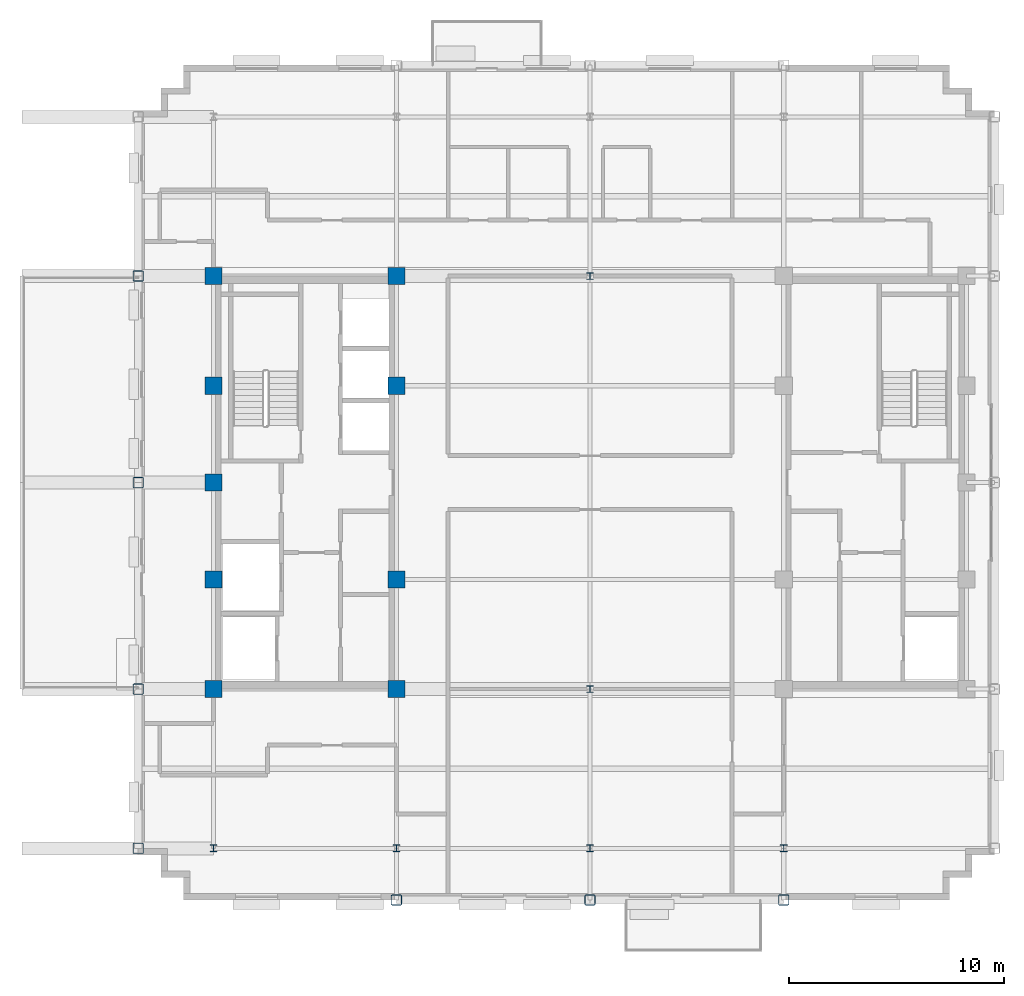
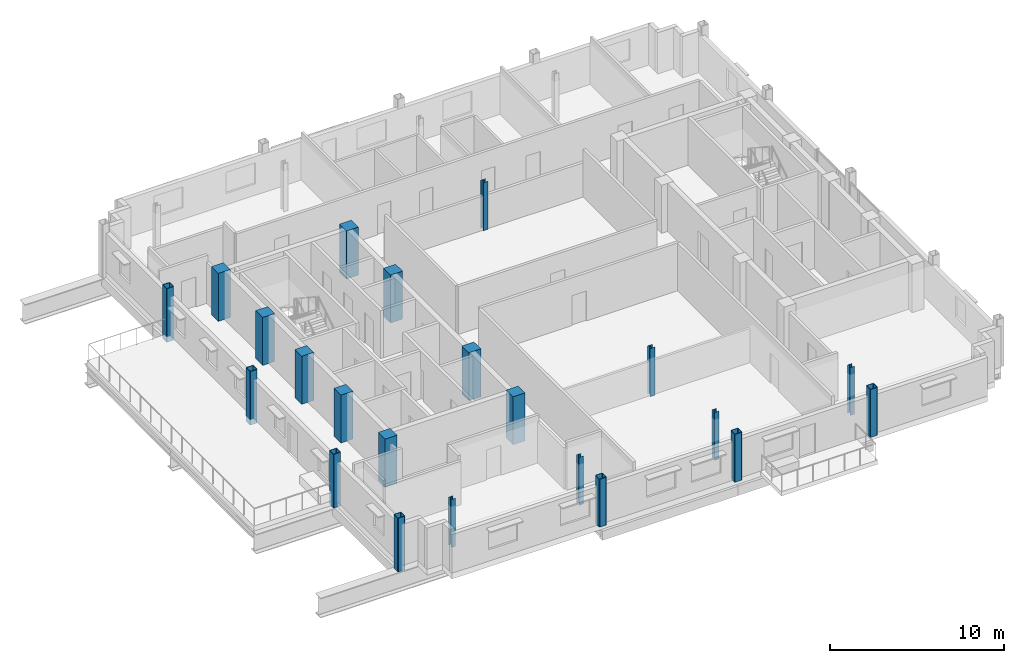
# One storey, part 1 of 14: 22 columns.
"""IFC4 building model written with IfcOpenShell, lengths in metres."""

from ifc_helpers import new_model, si_unit, direction, frame, origin, origin_2d, place, context, subcontext, project, spatial, rectangle, hollow_rectangle, i_section, extrude, material, material_profile, profile_set, type_object, element, save


model = new_model("IFC4")

# Units and contexts
model_context = context("Model", 3, precision=1e-05, world=origin(), true_north=direction((0.0, 1.0)))
body_context = subcontext(model_context, "Body", "Model", "MODEL_VIEW")
ifc_project = project(units=[si_unit("LENGTHUNIT", "METRE"), si_unit("AREAUNIT", "SQUARE_METRE"), si_unit("VOLUMEUNIT", "CUBIC_METRE"), si_unit("PLANEANGLEUNIT", "RADIAN"), si_unit("MASSUNIT", "GRAM", prefix="KILO")], contexts=[model_context])

# Site, building, storey
site_placement = place(None, origin())
site = spatial("IfcSite", under=ifc_project, at=site_placement, CompositionType="ELEMENT")
building_placement = place(site_placement, origin())
building = spatial("IfcBuilding", under=site, at=building_placement, Name="Nuvemarco Arch Tower", CompositionType="ELEMENT")
storey_placement = place(building_placement, frame((0.0, 0.0, 245.64990234375)))
storey = spatial("IfcBuildingStorey", under=building, at=storey_placement, Name="L65", CompositionType="ELEMENT", Elevation=245.64990234375)

# Columns
ifc_material_1 = material(Name="Concrete C50/60", Category="concrete")
ifc_material_profile_1 = material_profile(ifc_material_1, rectangle(XDim=0.800048828125, YDim=0.800048828125, at=origin_2d()), Name="RC-COL-800x800")
ifc_profile_set_1 = profile_set([ifc_material_profile_1], Name="Concrete C50/60")
column_type_1 = type_object("IfcColumnType", Name="COL-CORE-800", PredefinedType="COLUMN", material=ifc_profile_set_1)
for number, where, z_axis, x_axis, name in (
    (1, (-17.5, -9.60009765625, 0.0), (0.0, 0.0, 1.0), (1.0, 0.0, 0.0), "L65 column CC_-17.5_-9.6"),
    (2, (-17.5, -4.5, 0.0), (0.0, 0.0, 1.0), (1.0, 0.0, 0.0), "L65 column CC_-17.5_-4.5"),
    (3, (-17.5, 4.5, 0.0), (0.0, 0.0, 1.0), (1.0, 0.0, 0.0), "L65 column CC_-17.5_+4.5"),
    (4, (-17.5, 9.60009765625, 0.0), (0.0, 0.0, 1.0), (1.0, 0.0, 0.0), "L65 column CC_-17.5_+9.6"),
    (5, (-9.0, -9.60009765625, 0.0), (0.0, 0.0, 1.0), (1.0, 0.0, 0.0), "L65 column CC_-9.0_-9.6"),
    (6, (-9.0, -4.5, 0.0), (0.0, 0.0, 1.0), (1.0, 0.0, 0.0), "L65 column CC_-9.0_-4.5"),
    (7, (-9.0, 4.5, 0.0), (0.0, 0.0, 1.0), (1.0, 0.0, 0.0), "L65 column CC_-9.0_+4.5"),
    (8, (-9.0, 9.60009765625, 0.0), (0.0, 0.0, 1.0), (1.0, 0.0, 0.0), "L65 column CC_-9.0_+9.6"),
    (9, (-17.5, 0.0, 0.0), (0.0, 0.0, 1.0), (1.0, 0.0, 0.0), "L65 column CC_-17.5_+0.0"),
):
    element("IfcColumn", number, at=place(storey_placement, frame(where, z_axis=z_axis, x_axis=x_axis)), inside=storey, type_object=column_type_1, Name=name, PredefinedType="COLUMN", context=body_context, shape_type="SweptSolid", body=[
        extrude(rectangle(XDim=0.800048828125, YDim=0.800048828125, at=origin_2d()), origin(), (0.0, 0.0, 1.0), 3.3701171875),
    ])
ifc_material_2 = material(Name="Steel S355", Category="steel")
ifc_material_profile_2 = material_profile(ifc_material_2, hollow_rectangle(XDim=0.5, YDim=0.5, WallThickness=0.031982421875, InnerFilletRadius=0.031982421875, OuterFilletRadius=0.06396484375, at=origin_2d()), Name="SHS500x500x32")
ifc_profile_set_2 = profile_set([ifc_material_profile_2], Name="Steel S355")
column_type_2 = type_object("IfcColumnType", Name="COL-EXO-500", PredefinedType="COLUMN", material=ifc_profile_set_2)
for number, where, z_axis, x_axis, name in (
    (10, (-21.0, -17.0, -0.39990234375), (0.0, 0.0, 1.0), (1.0, 0.0, 0.0), "L65 column CX_-21.0_-17.0"),
    (11, (-21.0, -9.60009765625, -0.39990234375), (0.0, 0.0, 1.0), (1.0, 0.0, 0.0), "L65 column CX_-21.0_-9.6"),
    (12, (-21.0, 0.0, -0.39990234375), (0.0, 0.0, 1.0), (1.0, 0.0, 0.0), "L65 column CX_-21.0_+0.0"),
    (13, (-21.0, 9.60009765625, -0.39990234375), (0.0, 0.0, 1.0), (1.0, 0.0, 0.0), "L65 column CX_-21.0_+9.6"),
):
    element("IfcColumn", number, at=place(storey_placement, frame(where, z_axis=z_axis, x_axis=x_axis)), inside=storey, type_object=column_type_2, Name=name, PredefinedType="COLUMN", context=body_context, shape_type="SweptSolid", body=[
        extrude(hollow_rectangle(XDim=0.5, YDim=0.5, WallThickness=0.031982421875, InnerFilletRadius=0.031982421875, OuterFilletRadius=0.06396484375, at=origin_2d()), origin(), (0.0, 0.0, 1.0), 3.77001953125),
    ])
for number, where, z_axis, x_axis, name in (
    (14, (-9.0, -19.39990234375, 0.0), (0.0, 0.0, 1.0), (1.0, 0.0, 0.0), "L65 column CY_-9.0_-19.4"),
    (15, (0.0, -19.39990234375, 0.0), (0.0, 0.0, 1.0), (1.0, 0.0, 0.0), "L65 column CY_+0.0_-19.4"),
    (16, (9.0, -19.39990234375, 0.0), (0.0, 0.0, 1.0), (1.0, 0.0, 0.0), "L65 column CY_+9.0_-19.4"),
):
    element("IfcColumn", number, at=place(storey_placement, frame(where, z_axis=z_axis, x_axis=x_axis)), inside=storey, type_object=column_type_2, Name=name, PredefinedType="COLUMN", context=body_context, shape_type="SweptSolid", body=[
        extrude(hollow_rectangle(XDim=0.5, YDim=0.5, WallThickness=0.031982421875, InnerFilletRadius=0.031982421875, OuterFilletRadius=0.06396484375, at=origin_2d()), origin(), (0.0, 0.0, 1.0), 3.3701171875),
    ])
ifc_material_profile_3 = material_profile(ifc_material_2, i_section(OverallWidth=0.31005859375, OverallDepth=0.31005859375, WebThickness=0.015380859375, FlangeThickness=0.015380859375, FilletRadius=0.014892578125, at=origin_2d()), Name="HP310x110")
ifc_profile_set_3 = profile_set([ifc_material_profile_3], Name="Steel S355")
column_type_3 = type_object("IfcColumnType", Name="COL-STL-HP310", PredefinedType="COLUMN", material=ifc_profile_set_3)
for number, where, z_axis, x_axis, name in (
    (17, (0.0, -17.0, 0.0), (0.0, 0.0, 1.0), (1.0, 0.0, 0.0), "L65 column CI_+0.0_-17.0"),
    (18, (0.0, -9.60009765625, 0.0), (0.0, 0.0, 1.0), (1.0, 0.0, 0.0), "L65 column CI_+0.0_-9.6"),
    (19, (0.0, 9.60009765625, 0.0), (0.0, 0.0, 1.0), (1.0, 0.0, 0.0), "L65 column CI_+0.0_+9.6"),
    (20, (-17.5, -17.0, 0.0), (0.0, 0.0, 1.0), (1.0, 0.0, 0.0), "L65 column CI_-17.5_-17.0"),
    (21, (-9.0, -17.0, 0.0), (0.0, 0.0, 1.0), (1.0, 0.0, 0.0), "L65 column CI_-9.0_-17.0"),
    (22, (9.0, -17.0, 0.0), (0.0, 0.0, 1.0), (1.0, 0.0, 0.0), "L65 column CI_+9.0_-17.0"),
):
    element("IfcColumn", number, at=place(storey_placement, frame(where, z_axis=z_axis, x_axis=x_axis)), inside=storey, type_object=column_type_3, Name=name, PredefinedType="COLUMN", context=body_context, shape_type="SweptSolid", body=[
        extrude(i_section(OverallWidth=0.31005859375, OverallDepth=0.31005859375, WebThickness=0.015380859375, FlangeThickness=0.015380859375, FilletRadius=0.014892578125, at=origin_2d()), origin(), (0.0, 0.0, 1.0), 3.3701171875),
    ])

save(model, "model.ifc")
